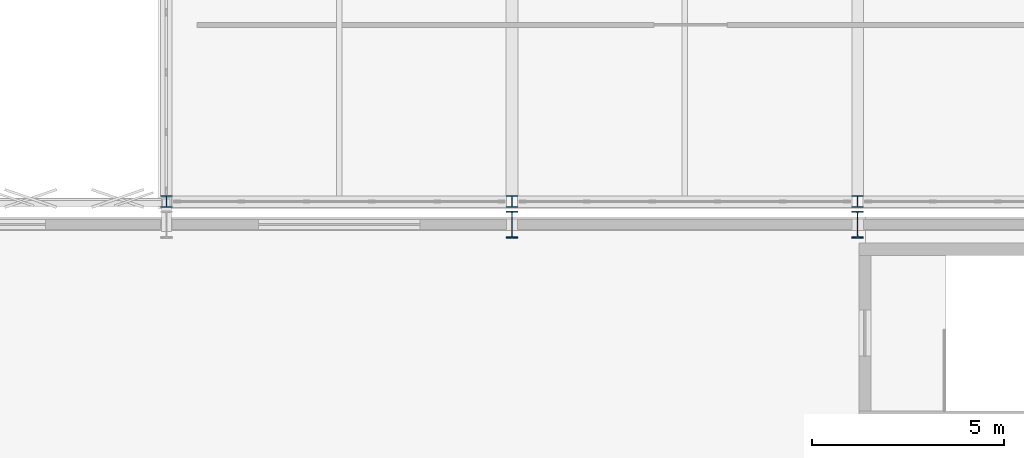
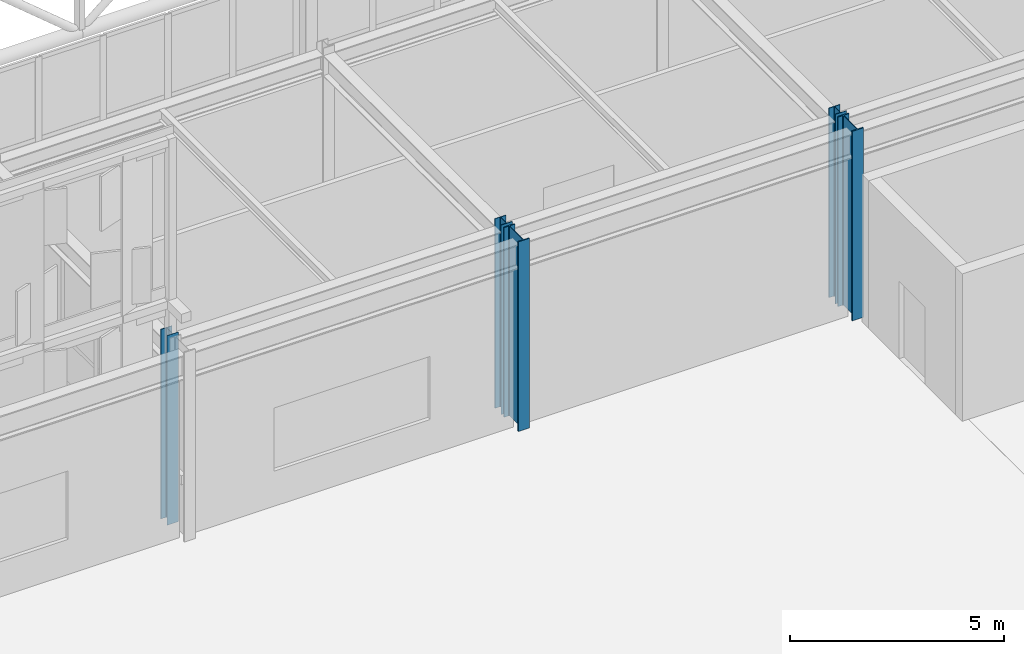
# One storey, part 2 of 239: 5 columns.
"""IFC4 building model written with IfcOpenShell, lengths in metres."""

from ifc_helpers import new_model, si_unit, direction, frame, origin, origin_2d, place, context, subcontext, project, spatial, i_section, extrude, material, material_profile, profile_set, type_object, element, save


model = new_model("IFC4")

# Units and contexts
model_context = context("Model", 3, precision=1e-05, world=origin(), true_north=direction((0.0, 1.0)))
body_context = subcontext(model_context, "Body", "Model", "MODEL_VIEW")
ifc_project = project(units=[si_unit("LENGTHUNIT", "METRE"), si_unit("AREAUNIT", "SQUARE_METRE"), si_unit("VOLUMEUNIT", "CUBIC_METRE"), si_unit("PLANEANGLEUNIT", "RADIAN"), si_unit("MASSUNIT", "GRAM", prefix="KILO")], contexts=[model_context])

# Site, building, storey
site_placement = place(None, origin())
site = spatial("IfcSite", under=ifc_project, at=site_placement, CompositionType="ELEMENT")
building_placement = place(site_placement, origin())
building = spatial("IfcBuilding", under=site, at=building_placement, Name="Kaldris Quays Convention Centre", CompositionType="ELEMENT")
storey_placement = place(building_placement, frame((0.0, 0.0, 11.39990234375)))
storey = spatial("IfcBuildingStorey", under=building, at=storey_placement, Name="L02", CompositionType="ELEMENT", Elevation=11.39990234375)

# Columns
ifc_material = material(Name="Steel S355J2", Category="steel")
ifc_material_profile_1 = material_profile(ifc_material, i_section(OverallWidth=0.300048828125, OverallDepth=0.699951171875, WebThickness=0.01708984375, FlangeThickness=0.031982421875, FilletRadius=0.027099609375, at=origin_2d()), Name="HEB 700")
ifc_profile_set_1 = profile_set([ifc_material_profile_1], Name="Steel S355J2")
column_type_1 = type_object("IfcColumnType", Name="STRUCTURAL COLUMN CL05", PredefinedType="COLUMN", material=ifc_profile_set_1)
for number, where, z_axis, x_axis, name in (
    (1, (38.0, 46.0, 0.0), (0.0, 0.0, 1.0), (1.0, 0.0, 0.0), "L02 V3 Column CL05 (38.00, 46.00)"),
    (2, (47.0, 46.0, 0.0), (0.0, 0.0, 1.0), (1.0, 0.0, 0.0), "L02 V3 Column CL05 (47.00, 46.00)"),
):
    element("IfcColumn", number, at=place(storey_placement, frame(where, z_axis=z_axis, x_axis=x_axis)), inside=storey, type_object=column_type_1, Name=name, PredefinedType="COLUMN", context=body_context, shape_type="SweptSolid", body=[
        extrude(i_section(OverallWidth=0.300048828125, OverallDepth=0.699951171875, WebThickness=0.01708984375, FlangeThickness=0.031982421875, FilletRadius=0.027099609375, at=origin_2d()), origin(), (0.0, 0.0, 1.0), 5.400146484375),
    ])
ifc_material_profile_2 = material_profile(ifc_material, i_section(OverallWidth=0.300048828125, OverallDepth=0.31005859375, WebThickness=0.009033203125, FlangeThickness=0.015380859375, FilletRadius=0.027099609375, at=origin_2d()), Name="HEA 320")
ifc_profile_set_2 = profile_set([ifc_material_profile_2], Name="Steel S355J2")
column_type_2 = type_object("IfcColumnType", Name="STRUCTURAL COLUMN CL17", PredefinedType="COLUMN", material=ifc_profile_set_2)
for number, where, z_axis, x_axis, name in (
    (3, (29.0, 46.60009765625, 0.0), (0.0, 0.0, 1.0), (1.0, 0.0, 0.0), "L02 V4 Column CL17 (29.00, 46.60)"),
    (4, (38.0, 46.60009765625, 0.0), (0.0, 0.0, 1.0), (1.0, 0.0, 0.0), "L02 V4 Column CL17 (38.00, 46.60)"),
    (5, (47.0, 46.60009765625, 0.0), (0.0, 0.0, 1.0), (1.0, 0.0, 0.0), "L02 V4 Column CL17 (47.00, 46.60)"),
):
    element("IfcColumn", number, at=place(storey_placement, frame(where, z_axis=z_axis, x_axis=x_axis)), inside=storey, type_object=column_type_2, Name=name, PredefinedType="COLUMN", context=body_context, shape_type="SweptSolid", body=[
        extrude(i_section(OverallWidth=0.300048828125, OverallDepth=0.31005859375, WebThickness=0.009033203125, FlangeThickness=0.015380859375, FilletRadius=0.027099609375, at=origin_2d()), origin(), (0.0, 0.0, 1.0), 5.400146484375),
    ])

save(model, "model.ifc")
